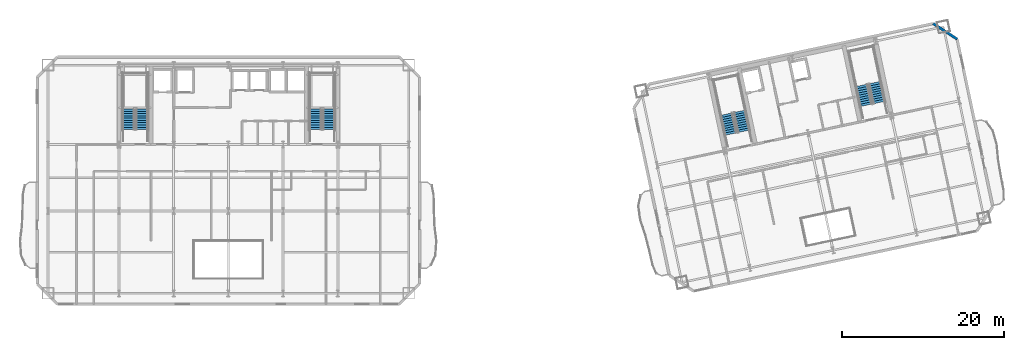
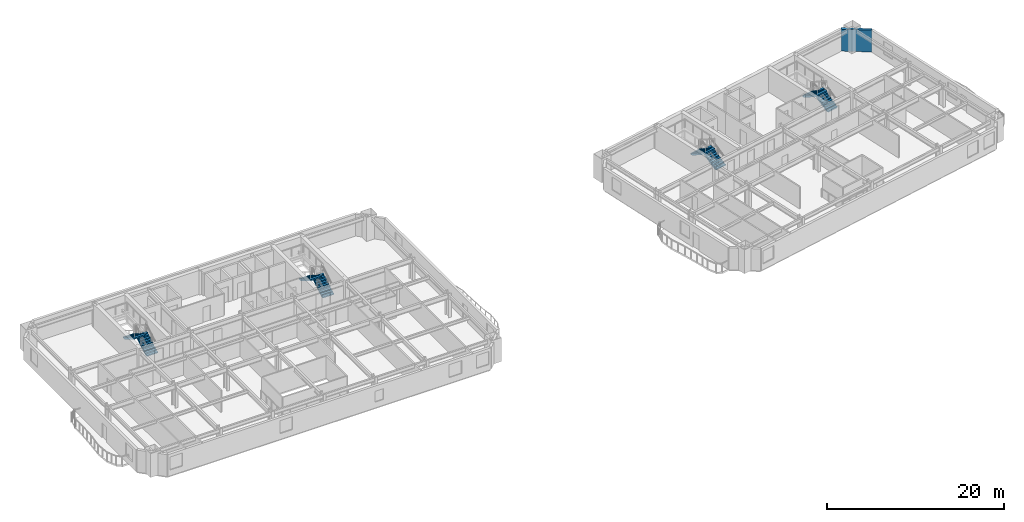
# One storey, part 9 of 13: 8 stair flights, 1 wall, 4 elements without a shape of their own.
"""IFC4 building model written with IfcOpenShell, lengths in metres."""

from ifc_helpers import new_model, si_unit, direction, frame, frame_2d, origin, place, context, subcontext, project, spatial, polyline, rectangle, outline, extrude, material, layer, layer_set, type_object, element, aggregate, save


model = new_model("IFC4")

# Units and contexts
model_context = context("Model", 3, precision=1e-05, world=origin(), true_north=direction((0.0, 1.0)))
body_context = subcontext(model_context, "Body", "Model", "MODEL_VIEW")
ifc_project = project(units=[si_unit("LENGTHUNIT", "METRE"), si_unit("AREAUNIT", "SQUARE_METRE"), si_unit("VOLUMEUNIT", "CUBIC_METRE"), si_unit("PLANEANGLEUNIT", "RADIAN"), si_unit("MASSUNIT", "GRAM", prefix="KILO")], contexts=[model_context])

# Site, building, storey
site_placement = place(None, origin())
site = spatial("IfcSite", under=ifc_project, at=site_placement, CompositionType="ELEMENT")
building_placement = place(site_placement, origin())
building = spatial("IfcBuilding", under=site, at=building_placement, Name="Haevon Station Towers", CompositionType="ELEMENT")
storey_placement = place(building_placement, frame((0.0, 0.0, 96.60009765625)))
storey = spatial("IfcBuildingStorey", under=building, at=storey_placement, Name="L25", CompositionType="ELEMENT", Elevation=96.60009765625)

# Wall
ifc_material_1 = material(Name="Precast concrete C45/55", Category="concrete")
ifc_layer = layer(ifc_material_1, 0.320068359375)
ifc_layer_set = layer_set([ifc_layer], Name="Precast concrete C45/55")
wall_type = type_object("IfcWallType", Name="WL-EXT-PIER320", PredefinedType="SOLIDWALL", material=ifc_layer_set)
wall_placement = place(storey_placement, frame((124.45263671875, 53.128662109375, 0.0), z_axis=(0.0, 0.0, 1.0), x_axis=(0.838640767148, -0.544684921471, 0.0)))
element("IfcWall", 1, at=wall_placement, inside=storey, type_object=wall_type, Name="WL-T2-L25-NEC", PredefinedType="SOLIDWALL", context=body_context, shape_type="SweptSolid", body=[
    extrude(rectangle(XDim=3.53564453125, YDim=0.320068359375, at=frame_2d((1.767822265625, 0.0))), origin(), (0.0, 0.0, 1.0), 3.02978515625),
])

# Stair, stair flights
ifc_material_2 = material(Name="Concrete C40/50", Category="concrete")
stair_type = type_object("IfcStairType", Name="STR-DL1450", PredefinedType="USERDEFINED", material=ifc_material_2)
stair_1_placement = place(storey_placement, origin())
stair_1 = element("IfcStair", 2, at=stair_1_placement, inside=storey, type_object=stair_type, Name="L25 Escape Stair ST1", ObjectType="TWO_RETURN_STAIR", PredefinedType="USERDEFINED")
stair_flight_type = type_object("IfcStairFlightType", Name="STF-ST1450", PredefinedType="STRAIGHT", material=ifc_material_2)
stair_flight_1_placement = place(storey_placement, frame((26.85498046875, 40.050048828125, 0.0), z_axis=(0.0, 0.0, 1.0), x_axis=(0.0, 1.0, 0.0)))
stair_flight_1 = element("IfcStairFlight", 3, at=stair_flight_1_placement, type_object=stair_flight_type, Name="L25 ST1 Flight 1", NumberOfRisers=10, NumberOfTreads=9, PredefinedType="STRAIGHT", RiserHeight=0.165, TreadLength=0.28, context=body_context, shape_type="SweptSolid", body=[
    extrude(outline(polyline([(0.0, 0.0), (0.0, 0.1650390625), (0.280029296875, 0.1650390625), (0.280029296875, 0.330078125), (0.56005859375, 0.330078125), (0.56005859375, 0.4951171875), (0.840087890625, 0.4951171875), (0.840087890625, 0.659912109375), (1.1201171875, 0.659912109375), (1.1201171875, 0.824951171875), (1.39990234375, 0.824951171875), (1.39990234375, 0.989990234375), (1.679931640625, 0.989990234375), (1.679931640625, 1.155029296875), (1.9599609375, 1.155029296875), (1.9599609375, 1.320068359375), (2.239990234375, 1.320068359375), (2.239990234375, 1.485107421875), (2.52001953125, 1.485107421875), (2.52001953125, 1.64990234375), (2.52001953125, 1.29931640625), (0.31494140625, 0.0), (0.0, 0.0)])), frame((0.0, 0.72509765625, 0.0), z_axis=(0.0, -1.0, 0.0), x_axis=(1.0, 0.0, 0.0)), (0.0, 0.0, 1.0), 1.449951171875),
])
stair_flight_2_placement = place(storey_placement, frame((25.205078125, 42.570068359375, 1.64990234375), z_axis=(0.0, 0.0, 1.0), x_axis=(0.0, -1.0, 0.0)))
stair_flight_2 = element("IfcStairFlight", 4, at=stair_flight_2_placement, type_object=stair_flight_type, Name="L25 ST1 Flight 2", NumberOfRisers=10, NumberOfTreads=9, PredefinedType="STRAIGHT", RiserHeight=0.165, TreadLength=0.28, context=body_context, shape_type="SweptSolid", body=[
    extrude(outline(polyline([(0.0, 0.0), (0.0, 0.1650390625), (0.280029296875, 0.1650390625), (0.280029296875, 0.330078125), (0.56005859375, 0.330078125), (0.56005859375, 0.4951171875), (0.840087890625, 0.4951171875), (0.840087890625, 0.659912109375), (1.1201171875, 0.659912109375), (1.1201171875, 0.824951171875), (1.39990234375, 0.824951171875), (1.39990234375, 0.989990234375), (1.679931640625, 0.989990234375), (1.679931640625, 1.155029296875), (1.9599609375, 1.155029296875), (1.9599609375, 1.320068359375), (2.239990234375, 1.320068359375), (2.239990234375, 1.485107421875), (2.52001953125, 1.485107421875), (2.52001953125, 1.64990234375), (2.52001953125, 1.29931640625), (0.31494140625, 0.0), (0.0, 0.0)])), frame((0.0, 0.72509765625, 0.0), z_axis=(0.0, -1.0, 0.0), x_axis=(1.0, 0.0, 0.0)), (0.0, 0.0, 1.0), 1.449951171875),
])
aggregate(stair_1, [stair_flight_1, stair_flight_2])

stair_2_placement = place(storey_placement, origin())
stair_2 = element("IfcStair", 5, at=stair_2_placement, inside=storey, type_object=stair_type, Name="L25 Escape Stair ST2", ObjectType="TWO_RETURN_STAIR", PredefinedType="USERDEFINED")
stair_flight_3_placement = place(storey_placement, frame((49.89501953125, 40.050048828125, 0.0), z_axis=(0.0, 0.0, 1.0), x_axis=(0.0, 1.0, 0.0)))
stair_flight_3 = element("IfcStairFlight", 6, at=stair_flight_3_placement, type_object=stair_flight_type, Name="L25 ST2 Flight 1", NumberOfRisers=10, NumberOfTreads=9, PredefinedType="STRAIGHT", RiserHeight=0.165, TreadLength=0.28, context=body_context, shape_type="SweptSolid", body=[
    extrude(outline(polyline([(0.0, 0.0), (0.0, 0.1650390625), (0.280029296875, 0.1650390625), (0.280029296875, 0.330078125), (0.56005859375, 0.330078125), (0.56005859375, 0.4951171875), (0.840087890625, 0.4951171875), (0.840087890625, 0.659912109375), (1.1201171875, 0.659912109375), (1.1201171875, 0.824951171875), (1.39990234375, 0.824951171875), (1.39990234375, 0.989990234375), (1.679931640625, 0.989990234375), (1.679931640625, 1.155029296875), (1.9599609375, 1.155029296875), (1.9599609375, 1.320068359375), (2.239990234375, 1.320068359375), (2.239990234375, 1.485107421875), (2.52001953125, 1.485107421875), (2.52001953125, 1.64990234375), (2.52001953125, 1.29931640625), (0.31494140625, 0.0), (0.0, 0.0)])), frame((0.0, 0.72509765625, 0.0), z_axis=(0.0, -1.0, 0.0), x_axis=(1.0, 0.0, 0.0)), (0.0, 0.0, 1.0), 1.449951171875),
])
stair_flight_4_placement = place(storey_placement, frame((48.2451171875, 42.570068359375, 1.64990234375), z_axis=(0.0, 0.0, 1.0), x_axis=(0.0, -1.0, 0.0)))
stair_flight_4 = element("IfcStairFlight", 7, at=stair_flight_4_placement, type_object=stair_flight_type, Name="L25 ST2 Flight 2", NumberOfRisers=10, NumberOfTreads=9, PredefinedType="STRAIGHT", RiserHeight=0.165, TreadLength=0.28, context=body_context, shape_type="SweptSolid", body=[
    extrude(outline(polyline([(0.0, 0.0), (0.0, 0.1650390625), (0.280029296875, 0.1650390625), (0.280029296875, 0.330078125), (0.56005859375, 0.330078125), (0.56005859375, 0.4951171875), (0.840087890625, 0.4951171875), (0.840087890625, 0.659912109375), (1.1201171875, 0.659912109375), (1.1201171875, 0.824951171875), (1.39990234375, 0.824951171875), (1.39990234375, 0.989990234375), (1.679931640625, 0.989990234375), (1.679931640625, 1.155029296875), (1.9599609375, 1.155029296875), (1.9599609375, 1.320068359375), (2.239990234375, 1.320068359375), (2.239990234375, 1.485107421875), (2.52001953125, 1.485107421875), (2.52001953125, 1.64990234375), (2.52001953125, 1.29931640625), (0.31494140625, 0.0), (0.0, 0.0)])), frame((0.0, 0.72509765625, 0.0), z_axis=(0.0, -1.0, 0.0), x_axis=(1.0, 0.0, 0.0)), (0.0, 0.0, 1.0), 1.449951171875),
])
aggregate(stair_2, [stair_flight_3, stair_flight_4])

stair_3_placement = place(storey_placement, origin())
stair_3 = element("IfcStair", 8, at=stair_3_placement, inside=storey, type_object=stair_type, Name="L25 Escape Stair ST3", ObjectType="TWO_RETURN_STAIR", PredefinedType="USERDEFINED")
stair_flight_5_placement = place(storey_placement, frame((101.1015625, 39.8330078125, 0.0), z_axis=(0.0, 0.0, 1.0), x_axis=(-0.207911690818, 0.978147600734, 0.0)))
stair_flight_5 = element("IfcStairFlight", 9, at=stair_flight_5_placement, type_object=stair_flight_type, Name="L25 ST3 Flight 1", NumberOfRisers=10, NumberOfTreads=9, PredefinedType="STRAIGHT", RiserHeight=0.165, TreadLength=0.28, context=body_context, shape_type="SweptSolid", body=[
    extrude(outline(polyline([(0.0, 0.0), (0.0, 0.1650390625), (0.280029296875, 0.1650390625), (0.280029296875, 0.330078125), (0.56005859375, 0.330078125), (0.56005859375, 0.4951171875), (0.840087890625, 0.4951171875), (0.840087890625, 0.659912109375), (1.1201171875, 0.659912109375), (1.1201171875, 0.824951171875), (1.39990234375, 0.824951171875), (1.39990234375, 0.989990234375), (1.679931640625, 0.989990234375), (1.679931640625, 1.155029296875), (1.9599609375, 1.155029296875), (1.9599609375, 1.320068359375), (2.239990234375, 1.320068359375), (2.239990234375, 1.485107421875), (2.52001953125, 1.485107421875), (2.52001953125, 1.64990234375), (2.52001953125, 1.29931640625), (0.31494140625, 0.0), (0.0, 0.0)])), frame((0.0, 0.72509765625, 0.0), z_axis=(0.0, -1.0, 0.0), x_axis=(1.0, 0.0, 0.0)), (0.0, 0.0, 1.0), 1.449951171875),
])
stair_flight_6_placement = place(storey_placement, frame((98.9638671875, 41.955078125, 1.64990234375), z_axis=(0.0, 0.0, 1.0), x_axis=(0.207911690818, -0.978147600734, 0.0)))
stair_flight_6 = element("IfcStairFlight", 10, at=stair_flight_6_placement, type_object=stair_flight_type, Name="L25 ST3 Flight 2", NumberOfRisers=10, NumberOfTreads=9, PredefinedType="STRAIGHT", RiserHeight=0.165, TreadLength=0.28, context=body_context, shape_type="SweptSolid", body=[
    extrude(outline(polyline([(0.0, 0.0), (0.0, 0.1650390625), (0.280029296875, 0.1650390625), (0.280029296875, 0.330078125), (0.56005859375, 0.330078125), (0.56005859375, 0.4951171875), (0.840087890625, 0.4951171875), (0.840087890625, 0.659912109375), (1.1201171875, 0.659912109375), (1.1201171875, 0.824951171875), (1.39990234375, 0.824951171875), (1.39990234375, 0.989990234375), (1.679931640625, 0.989990234375), (1.679931640625, 1.155029296875), (1.9599609375, 1.155029296875), (1.9599609375, 1.320068359375), (2.239990234375, 1.320068359375), (2.239990234375, 1.485107421875), (2.52001953125, 1.485107421875), (2.52001953125, 1.64990234375), (2.52001953125, 1.29931640625), (0.31494140625, 0.0), (0.0, 0.0)])), frame((0.0, 0.72509765625, 0.0), z_axis=(0.0, -1.0, 0.0), x_axis=(1.0, 0.0, 0.0)), (0.0, 0.0, 1.0), 1.449951171875),
])
aggregate(stair_3, [stair_flight_5, stair_flight_6])

stair_4_placement = place(storey_placement, origin())
stair_4 = element("IfcStair", 11, at=stair_4_placement, inside=storey, type_object=stair_type, Name="L25 Escape Stair ST4", ObjectType="TWO_RETURN_STAIR", PredefinedType="USERDEFINED")
stair_flight_7_placement = place(storey_placement, frame((117.788818359375, 43.380126953125, 0.0), z_axis=(0.0, 0.0, 1.0), x_axis=(-0.207911690818, 0.978147600734, 0.0)))
stair_flight_7 = element("IfcStairFlight", 12, at=stair_flight_7_placement, type_object=stair_flight_type, Name="L25 ST4 Flight 1", NumberOfRisers=10, NumberOfTreads=9, PredefinedType="STRAIGHT", RiserHeight=0.165, TreadLength=0.28, context=body_context, shape_type="SweptSolid", body=[
    extrude(outline(polyline([(0.0, 0.0), (0.0, 0.1650390625), (0.280029296875, 0.1650390625), (0.280029296875, 0.330078125), (0.56005859375, 0.330078125), (0.56005859375, 0.4951171875), (0.840087890625, 0.4951171875), (0.840087890625, 0.659912109375), (1.1201171875, 0.659912109375), (1.1201171875, 0.824951171875), (1.39990234375, 0.824951171875), (1.39990234375, 0.989990234375), (1.679931640625, 0.989990234375), (1.679931640625, 1.155029296875), (1.9599609375, 1.155029296875), (1.9599609375, 1.320068359375), (2.239990234375, 1.320068359375), (2.239990234375, 1.485107421875), (2.52001953125, 1.485107421875), (2.52001953125, 1.64990234375), (2.52001953125, 1.29931640625), (0.31494140625, 0.0), (0.0, 0.0)])), frame((0.0, 0.72509765625, 0.0), z_axis=(0.0, -1.0, 0.0), x_axis=(1.0, 0.0, 0.0)), (0.0, 0.0, 1.0), 1.449951171875),
])
stair_flight_8_placement = place(storey_placement, frame((115.65087890625, 45.501953125, 1.64990234375), z_axis=(0.0, 0.0, 1.0), x_axis=(0.207911690818, -0.978147600734, 0.0)))
stair_flight_8 = element("IfcStairFlight", 13, at=stair_flight_8_placement, type_object=stair_flight_type, Name="L25 ST4 Flight 2", NumberOfRisers=10, NumberOfTreads=9, PredefinedType="STRAIGHT", RiserHeight=0.165, TreadLength=0.28, context=body_context, shape_type="SweptSolid", body=[
    extrude(outline(polyline([(0.0, 0.0), (0.0, 0.1650390625), (0.280029296875, 0.1650390625), (0.280029296875, 0.330078125), (0.56005859375, 0.330078125), (0.56005859375, 0.4951171875), (0.840087890625, 0.4951171875), (0.840087890625, 0.659912109375), (1.1201171875, 0.659912109375), (1.1201171875, 0.824951171875), (1.39990234375, 0.824951171875), (1.39990234375, 0.989990234375), (1.679931640625, 0.989990234375), (1.679931640625, 1.155029296875), (1.9599609375, 1.155029296875), (1.9599609375, 1.320068359375), (2.239990234375, 1.320068359375), (2.239990234375, 1.485107421875), (2.52001953125, 1.485107421875), (2.52001953125, 1.64990234375), (2.52001953125, 1.29931640625), (0.31494140625, 0.0), (0.0, 0.0)])), frame((0.0, 0.72509765625, 0.0), z_axis=(0.0, -1.0, 0.0), x_axis=(1.0, 0.0, 0.0)), (0.0, 0.0, 1.0), 1.449951171875),
])
aggregate(stair_4, [stair_flight_7, stair_flight_8])

save(model, "model.ifc")
